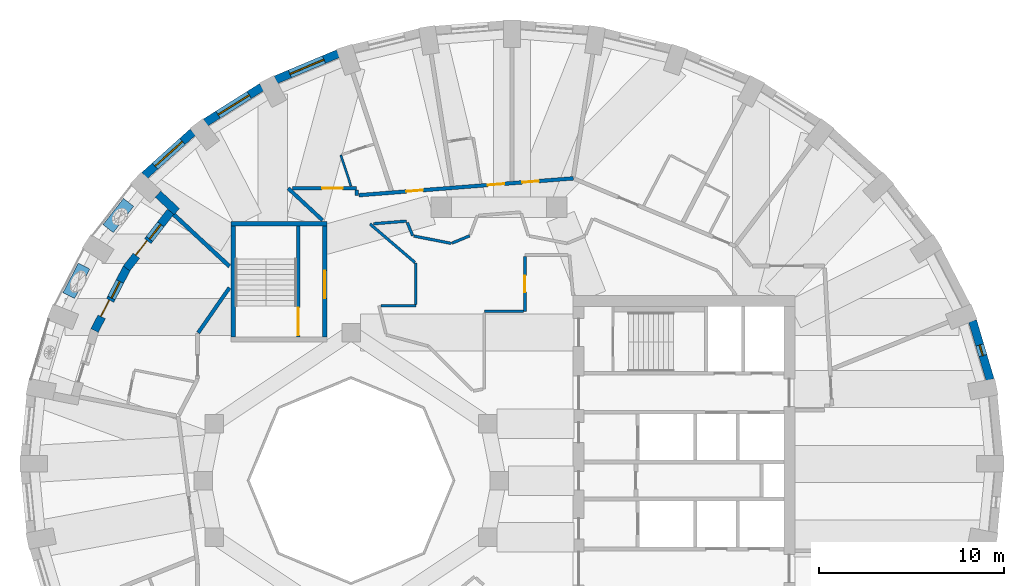
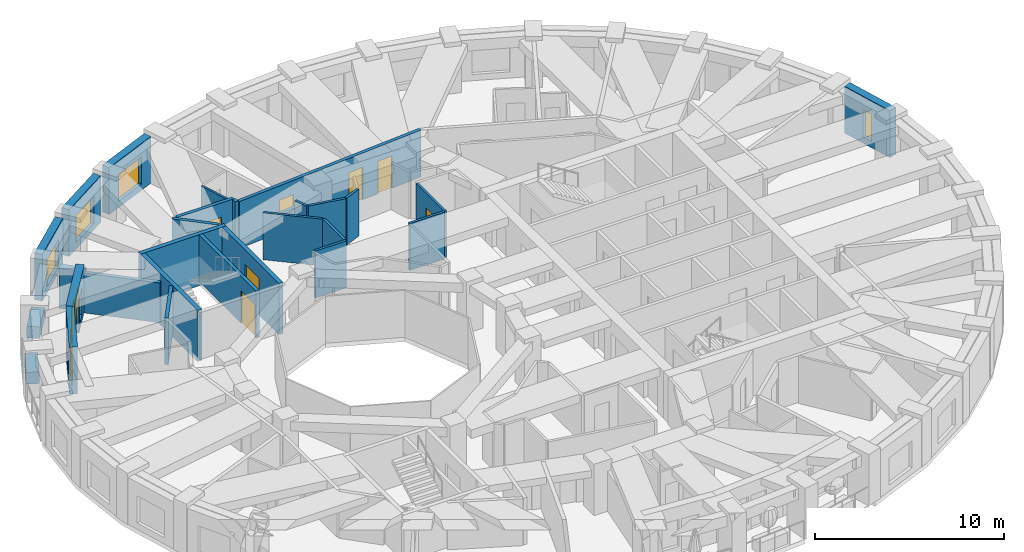
# One storey, part 7 of 12: 29 walls, 9 doors, 6 windows, 15 openings.
"""IFC4 building model written with IfcOpenShell, lengths in metres."""

from ifc_helpers import new_model, si_unit, direction, frame, frame_2d, origin, place, context, subcontext, project, spatial, rectangle, extrude, material, layer, layer_set, constituent, constituent_set, type_object, element, fill, save


model = new_model("IFC4")

# Units and contexts
model_context = context("Model", 3, precision=1e-05, world=origin(), true_north=direction((0.0, 1.0)))
body_context = subcontext(model_context, "Body", "Model", "MODEL_VIEW")
ifc_project = project(units=[si_unit("LENGTHUNIT", "METRE"), si_unit("AREAUNIT", "SQUARE_METRE"), si_unit("VOLUMEUNIT", "CUBIC_METRE"), si_unit("PLANEANGLEUNIT", "RADIAN"), si_unit("MASSUNIT", "GRAM", prefix="KILO")], contexts=[model_context])

# Site, building, storey
site_placement = place(None, origin())
site = spatial("IfcSite", under=ifc_project, at=site_placement, CompositionType="ELEMENT")
building_placement = place(site_placement, origin())
building = spatial("IfcBuilding", under=site, at=building_placement, Name="Taillehof Tower", CompositionType="ELEMENT")
storey_placement = place(building_placement, frame((0.0, 0.0, 199.10009765625)))
storey = spatial("IfcBuildingStorey", under=building, at=storey_placement, Name="L56", CompositionType="ELEMENT", Elevation=199.10009765625)

# Wall, opening, window
ifc_material_1 = material(Name="Brick masonry", Category="masonry")
ifc_layer_1 = layer(ifc_material_1, 0.449951171875)
ifc_layer_set_1 = layer_set([ifc_layer_1], Name="Brick infill wall 450")
wall_type_1 = type_object("IfcWallType", Name="Brick infill wall 450", PredefinedType="SOLIDWALL", material=ifc_layer_set_1)
wall_1_placement = place(storey_placement, frame((26.548095703125, 5.451904296875, 0.0), z_axis=(0.0, 0.0, 1.0), x_axis=(-0.285444972963, 0.958395099847, 0.0)))
wall_1 = element("IfcWall", 1, at=wall_1_placement, inside=storey, type_object=wall_type_1, Name="Brick wall L56 bay 2", PredefinedType="SOLIDWALL", context=body_context, shape_type="SweptSolid", body=[
    extrude(rectangle(XDim=3.3203125, YDim=0.449951171875, at=frame_2d((1.66015625, 0.0))), origin(), (0.0, 0.0, 1.0), 3.02001953125),
])
opening_1_placement = place(wall_1_placement, frame((1.360107421875, 0.0, 0.39990234375)))
opening_1 = element("IfcOpeningElement", 2, at=opening_1_placement, cuts=wall_1, Name="Opening W6", PredefinedType="OPENING", context=body_context, shape_type="SweptSolid", body=[
    extrude(rectangle(XDim=0.60009765625, YDim=1.75, at=frame_2d((0.300048828125, 0.875))), frame((0.0, 0.23486328125, 0.0), z_axis=(0.0, -1.0, 0.0), x_axis=(1.0, 0.0, 0.0)), (0.0, 0.0, 1.0), 0.469970703125),
])
ifc_material_2 = material(Name="Aluminium window frame with clear double glazing", Category="aluminium")
window_type_1 = type_object("IfcWindowType", Name="Slot window 600x1750", PartitioningType="SINGLE_PANEL", PredefinedType="WINDOW", material=ifc_material_2)
window_1_placement = place(opening_1_placement, origin())
window_1 = element("IfcWindow", 3, at=window_1_placement, inside=storey, type_object=window_type_1, Name="W6", OverallHeight=1.75, OverallWidth=0.60009765625, PartitioningType="SINGLE_PANEL", PredefinedType="WINDOW", context=body_context, shape_type="SweptSolid", body=[
    extrude(rectangle(XDim=0.60009765625, YDim=1.75, at=frame_2d((0.300048828125, 0.875))), frame((0.0, 0.034912109375, 0.0), z_axis=(0.0, -1.0, 0.0), x_axis=(1.0, 0.0, 0.0)), (0.0, 0.0, 1.0), 0.06005859375),
])
fill(opening_1, window_1)

wall_2_placement = place(storey_placement, frame((-8.70263671875, 23.0791015625, 0.0), z_axis=(0.0, 0.0, 1.0), x_axis=(-0.922168222612, -0.386789050006, 0.0)))
wall_2 = element("IfcWall", 4, at=wall_2_placement, inside=storey, type_object=wall_type_1, Name="Brick wall L56 bay 12", PredefinedType="SOLIDWALL", context=body_context, shape_type="SweptSolid", body=[
    extrude(rectangle(XDim=3.65087890625, YDim=0.449951171875, at=frame_2d((1.825439453125, 0.0))), origin(), (0.0, 0.0, 1.0), 3.02001953125),
])
opening_2_placement = place(wall_2_placement, frame((0.825439453125, 0.0, 0.39990234375)))
opening_2 = element("IfcOpeningElement", 5, at=opening_2_placement, cuts=wall_2, Name="Opening W2", PredefinedType="OPENING", context=body_context, shape_type="SweptSolid", body=[
    extrude(rectangle(XDim=2.0, YDim=1.75, at=frame_2d((1.0, 0.875))), frame((0.0, 0.23486328125, 0.0), z_axis=(0.0, -1.0, 0.0), x_axis=(1.0, 0.0, 0.0)), (0.0, 0.0, 1.0), 0.469970703125),
])
ifc_material_3 = material(Name="Aluminium window frame with clear double glazing", Category="aluminium")
window_type_2 = type_object("IfcWindowType", Name="Deep-set window 2000x1750", PartitioningType="SINGLE_PANEL", PredefinedType="WINDOW", material=ifc_material_3)
window_2_placement = place(opening_2_placement, origin())
window_2 = element("IfcWindow", 6, at=window_2_placement, inside=storey, type_object=window_type_2, Name="W2", OverallHeight=1.75, OverallWidth=2.0, PartitioningType="SINGLE_PANEL", PredefinedType="WINDOW", context=body_context, shape_type="SweptSolid", body=[
    extrude(rectangle(XDim=2.0, YDim=1.75, at=frame_2d((1.0, 0.875))), frame((0.0, 0.034912109375, 0.0), z_axis=(0.0, -1.0, 0.0), x_axis=(1.0, 0.0, 0.0)), (0.0, 0.0, 1.0), 0.06005859375),
])
fill(opening_2, window_2)

wall_3_placement = place(storey_placement, frame((-12.832275390625, 21.27001953125, 0.0), z_axis=(0.0, 0.0, 1.0), x_axis=(-0.846138482752, -0.532963101918, 0.0)))
wall_3 = element("IfcWall", 7, at=wall_3_placement, inside=storey, type_object=wall_type_1, Name="Brick wall L56 bay 13", PredefinedType="SOLIDWALL", context=body_context, shape_type="SweptSolid", body=[
    extrude(rectangle(XDim=3.586669921875, YDim=0.449951171875, at=frame_2d((1.79345703125, 0.0))), origin(), (0.0, 0.0, 1.0), 3.02001953125),
])
opening_3_placement = place(wall_3_placement, frame((0.79345703125, 0.0, 0.39990234375)))
opening_3 = element("IfcOpeningElement", 8, at=opening_3_placement, cuts=wall_3, Name="Opening W2", PredefinedType="OPENING", context=body_context, shape_type="SweptSolid", body=[
    extrude(rectangle(XDim=2.0, YDim=1.75, at=frame_2d((1.0, 0.875))), frame((0.0, 0.23486328125, 0.0), z_axis=(0.0, -1.0, 0.0), x_axis=(1.0, 0.0, 0.0)), (0.0, 0.0, 1.0), 0.469970703125),
])
window_3_placement = place(opening_3_placement, origin())
window_3 = element("IfcWindow", 9, at=window_3_placement, inside=storey, type_object=window_type_2, Name="W2", OverallHeight=1.75, OverallWidth=2.0, PartitioningType="SINGLE_PANEL", PredefinedType="WINDOW", context=body_context, shape_type="SweptSolid", body=[
    extrude(rectangle(XDim=2.0, YDim=1.75, at=frame_2d((1.0, 0.875))), frame((0.0, 0.034912109375, 0.0), z_axis=(0.0, -1.0, 0.0), x_axis=(1.0, 0.0, 0.0)), (0.0, 0.0, 1.0), 0.06005859375),
])
fill(opening_3, window_3)

wall_4_placement = place(storey_placement, frame((-16.553466796875, 18.83984375, 0.0), z_axis=(0.0, 0.0, 1.0), x_axis=(-0.743442727602, -0.668799604348, 0.0)))
wall_4 = element("IfcWall", 10, at=wall_4_placement, inside=storey, type_object=wall_type_1, Name="Brick wall L56 bay 14", PredefinedType="SOLIDWALL", context=body_context, shape_type="SweptSolid", body=[
    extrude(rectangle(XDim=3.5126953125, YDim=0.449951171875, at=frame_2d((1.75634765625, 0.0))), origin(), (0.0, 0.0, 1.0), 3.02001953125),
])
opening_4_placement = place(wall_4_placement, frame((0.75634765625, 0.0, 0.39990234375)))
opening_4 = element("IfcOpeningElement", 11, at=opening_4_placement, cuts=wall_4, Name="Opening W2", PredefinedType="OPENING", context=body_context, shape_type="SweptSolid", body=[
    extrude(rectangle(XDim=2.0, YDim=1.75, at=frame_2d((1.0, 0.875))), frame((0.0, 0.23486328125, 0.0), z_axis=(0.0, -1.0, 0.0), x_axis=(1.0, 0.0, 0.0)), (0.0, 0.0, 1.0), 0.469970703125),
])
window_4_placement = place(opening_4_placement, origin())
window_4 = element("IfcWindow", 12, at=window_4_placement, inside=storey, type_object=window_type_2, Name="W2", OverallHeight=1.75, OverallWidth=2.0, PartitioningType="SINGLE_PANEL", PredefinedType="WINDOW", context=body_context, shape_type="SweptSolid", body=[
    extrude(rectangle(XDim=2.0, YDim=1.75, at=frame_2d((1.0, 0.875))), frame((0.0, 0.034912109375, 0.0), z_axis=(0.0, -1.0, 0.0), x_axis=(1.0, 0.0, 0.0)), (0.0, 0.0, 1.0), 0.06005859375),
])
fill(opening_4, window_4)

# Wall
wall_5_placement = place(storey_placement, frame((-18.4404296875, 15.484375, 0.0), z_axis=(0.0, 0.0, 1.0), x_axis=(0.732268156969, -0.681016406769, 0.0)))
element("IfcWall", 13, at=wall_5_placement, inside=storey, type_object=wall_type_1, Name="Brick reveal L56 pocket 4", PredefinedType="SOLIDWALL", context=body_context, shape_type="SweptSolid", body=[
    extrude(rectangle(XDim=1.390869140625, YDim=0.449951171875, at=frame_2d((0.6953125, 0.0))), origin(), (0.0, 0.0, 1.0), 2.56982421875),
])

# Wall, openings, door, window
wall_6_placement = place(storey_placement, frame((-17.75390625, 14.53857421875, 0.0), z_axis=(0.0, 0.0, 1.0), x_axis=(-0.613174901215, -0.789947175779, 0.0)))
wall_6 = element("IfcWall", 14, at=wall_6_placement, inside=storey, type_object=wall_type_1, Name="Brick wall L56 pocket bay 15", PredefinedType="SOLIDWALL", context=body_context, shape_type="SweptSolid", body=[
    extrude(rectangle(XDim=3.886474609375, YDim=0.449951171875, at=frame_2d((1.943359375, 0.0))), origin(), (0.0, 0.0, 1.0), 3.02001953125),
])
opening_5_placement = place(wall_6_placement, frame((0.8681640625, 0.0, 0.39990234375)))
opening_5 = element("IfcOpeningElement", 15, at=opening_5_placement, cuts=wall_6, Name="Opening W5", PredefinedType="OPENING", context=body_context, shape_type="SweptSolid", body=[
    extrude(rectangle(XDim=1.0, YDim=1.75, at=frame_2d((0.5, 0.875))), frame((0.0, 0.23486328125, 0.0), z_axis=(0.0, -1.0, 0.0), x_axis=(1.0, 0.0, 0.0)), (0.0, 0.0, 1.0), 0.469970703125),
])
opening_6_placement = place(wall_6_placement, frame((2.018310546875, 0.0, 0.0)))
opening_6 = element("IfcOpeningElement", 16, at=opening_6_placement, cuts=wall_6, Name="Opening D5691", PredefinedType="OPENING", context=body_context, shape_type="SweptSolid", body=[
    extrude(rectangle(XDim=1.0, YDim=2.14990234375, at=frame_2d((0.5, 1.074951171875))), frame((0.0, 0.23486328125, 0.0), z_axis=(0.0, -1.0, 0.0), x_axis=(1.0, 0.0, 0.0)), (0.0, 0.0, 1.0), 0.469970703125),
])
ifc_material_4 = material(Name="Aluminium door frame with clear double glazing", Category="aluminium")
door_type_1 = type_object("IfcDoorType", Name="Balcony door 1000x2150", OperationType="SINGLE_SWING_RIGHT", PredefinedType="DOOR", material=ifc_material_4)
door_1_placement = place(opening_6_placement, frame((1.0, 0.0, 0.0), z_axis=(0.0, 0.0, 1.0), x_axis=(-1.0, 0.0, 0.0)))
door_1 = element("IfcDoor", 17, at=door_1_placement, inside=storey, type_object=door_type_1, Name="Balcony door L56 bay 15", OperationType="SINGLE_SWING_RIGHT", OverallHeight=2.14990234375, OverallWidth=1.0, PredefinedType="DOOR", context=body_context, shape_type="SweptSolid", body=[
    extrude(rectangle(XDim=1.0, YDim=2.14990234375, at=frame_2d((0.5, 1.074951171875))), frame((0.0, 0.0751953125, 0.0), z_axis=(0.0, -1.0, 0.0), x_axis=(1.0, 0.0, 0.0)), (0.0, 0.0, 1.0), 0.050048828125),
])
fill(opening_6, door_1)
ifc_material_5 = material(Name="Aluminium window frame with clear double glazing", Category="aluminium")
window_type_3 = type_object("IfcWindowType", Name="Fixed window 1000x1750", PartitioningType="SINGLE_PANEL", PredefinedType="WINDOW", material=ifc_material_5)
window_5_placement = place(opening_5_placement, origin())
window_5 = element("IfcWindow", 18, at=window_5_placement, inside=storey, type_object=window_type_3, Name="W5", OverallHeight=1.75, OverallWidth=1.0, PartitioningType="SINGLE_PANEL", PredefinedType="WINDOW", context=body_context, shape_type="SweptSolid", body=[
    extrude(rectangle(XDim=1.0, YDim=1.75, at=frame_2d((0.5, 0.875))), frame((0.0, 0.034912109375, 0.0), z_axis=(0.0, -1.0, 0.0), x_axis=(1.0, 0.0, 0.0)), (0.0, 0.0, 1.0), 0.06005859375),
])
fill(opening_5, window_5)

wall_7_placement = place(storey_placement, frame((-20.11474609375, 11.503173828125, 0.0), z_axis=(0.0, 0.0, 1.0), x_axis=(-0.459205720451, -0.888329953511, 0.0)))
wall_7 = element("IfcWall", 19, at=wall_7_placement, inside=storey, type_object=wall_type_1, Name="Brick wall L56 pocket bay 16", PredefinedType="SOLIDWALL", context=body_context, shape_type="SweptSolid", body=[
    extrude(rectangle(XDim=3.822509765625, YDim=0.449951171875, at=frame_2d((1.9111328125, 0.0))), origin(), (0.0, 0.0, 1.0), 3.02001953125),
])
opening_7_placement = place(wall_7_placement, frame((0.83642578125, 0.0, 0.39990234375)))
opening_7 = element("IfcOpeningElement", 20, at=opening_7_placement, cuts=wall_7, Name="Opening W5", PredefinedType="OPENING", context=body_context, shape_type="SweptSolid", body=[
    extrude(rectangle(XDim=1.0, YDim=1.75, at=frame_2d((0.5, 0.875))), frame((0.0, 0.23486328125, 0.0), z_axis=(0.0, -1.0, 0.0), x_axis=(1.0, 0.0, 0.0)), (0.0, 0.0, 1.0), 0.469970703125),
])
opening_8_placement = place(wall_7_placement, frame((1.986328125, 0.0, 0.0)))
opening_8 = element("IfcOpeningElement", 21, at=opening_8_placement, cuts=wall_7, Name="Opening D5692", PredefinedType="OPENING", context=body_context, shape_type="SweptSolid", body=[
    extrude(rectangle(XDim=1.0, YDim=2.14990234375, at=frame_2d((0.5, 1.074951171875))), frame((0.0, 0.23486328125, 0.0), z_axis=(0.0, -1.0, 0.0), x_axis=(1.0, 0.0, 0.0)), (0.0, 0.0, 1.0), 0.469970703125),
])
door_2_placement = place(opening_8_placement, frame((1.0, 0.0, 0.0), z_axis=(0.0, 0.0, 1.0), x_axis=(-1.0, 0.0, 0.0)))
door_2 = element("IfcDoor", 22, at=door_2_placement, inside=storey, type_object=door_type_1, Name="Balcony door L56 bay 16", OperationType="SINGLE_SWING_LEFT", OverallHeight=2.14990234375, OverallWidth=1.0, PredefinedType="DOOR", context=body_context, shape_type="SweptSolid", body=[
    extrude(rectangle(XDim=1.0, YDim=2.14990234375, at=frame_2d((0.5, 1.074951171875))), frame((0.0, 0.0751953125, 0.0), z_axis=(0.0, -1.0, 0.0), x_axis=(1.0, 0.0, 0.0)), (0.0, 0.0, 1.0), 0.050048828125),
])
fill(opening_8, door_2)
window_6_placement = place(opening_7_placement, origin())
window_6 = element("IfcWindow", 23, at=window_6_placement, inside=storey, type_object=window_type_3, Name="W5", OverallHeight=1.75, OverallWidth=1.0, PartitioningType="SINGLE_PANEL", PredefinedType="WINDOW", context=body_context, shape_type="SweptSolid", body=[
    extrude(rectangle(XDim=1.0, YDim=1.75, at=frame_2d((0.5, 0.875))), frame((0.0, 0.034912109375, 0.0), z_axis=(0.0, -1.0, 0.0), x_axis=(1.0, 0.0, 0.0)), (0.0, 0.0, 1.0), 0.06005859375),
])
fill(opening_7, window_6)

# Walls
ifc_material_6 = material(Name="Gypsum board on steel studs, two layers each side", Category="steel")
ifc_layer_2 = layer(ifc_material_6, 0.199951171875)
ifc_layer_set_2 = layer_set([ifc_layer_2], Name="Compartment wall corridor 200")
wall_type_2 = type_object("IfcWallType", Name="Compartment wall corridor 200", PredefinedType="PARTITIONING", material=ifc_layer_set_2)
wall_8_placement = place(storey_placement, frame((-16.265625, 7.9892578125, 0.0), z_axis=(0.0, 0.0, 1.0), x_axis=(0.569860411146, 0.821741511552, 0.0)))
element("IfcWall", 24, at=wall_8_placement, inside=storey, type_object=wall_type_2, Name="Compartment wall", PredefinedType="PARTITIONING", context=body_context, shape_type="SweptSolid", body=[
    extrude(rectangle(XDim=2.966064453125, YDim=0.199951171875, at=frame_2d((1.48291015625, 0.0))), origin(), (0.0, 0.0, 1.0), 3.02001953125),
])
wall_9_placement = place(storey_placement, frame((-9.540771484375, 14.070068359375, 0.0), z_axis=(0.0, 0.0, 1.0), x_axis=(-0.732300412469, 0.680981722146, 0.0)))
element("IfcWall", 25, at=wall_9_placement, inside=storey, type_object=wall_type_2, Name="Compartment wall", PredefinedType="PARTITIONING", context=body_context, shape_type="SweptSolid", body=[
    extrude(rectangle(XDim=2.54052734375, YDim=0.199951171875, at=frame_2d((1.270263671875, 0.0))), origin(), (0.0, 0.0, 1.0), 3.02001953125),
])

# Wall, opening, door
wall_10_placement = place(storey_placement, frame((-11.160888671875, 15.800048828125, 0.0), z_axis=(0.0, 0.0, 1.0), x_axis=(1.0, 0.0, 0.0)))
wall_10 = element("IfcWall", 26, at=wall_10_placement, inside=storey, type_object=wall_type_2, Name="Compartment wall", PredefinedType="PARTITIONING", context=body_context, shape_type="SweptSolid", body=[
    extrude(rectangle(XDim=3.4609375, YDim=0.199951171875, at=frame_2d((1.73046875, 0.0))), origin(), (0.0, 0.0, 1.0), 3.02001953125),
])
opening_9_placement = place(wall_10_placement, frame((1.601806640625, 0.0, 0.0)))
opening_9 = element("IfcOpeningElement", 27, at=opening_9_placement, cuts=wall_10, Name="Opening D5648", PredefinedType="OPENING", context=body_context, shape_type="SweptSolid", body=[
    extrude(rectangle(XDim=1.10009765625, YDim=2.10009765625, at=frame_2d((0.550048828125, 1.050048828125))), frame((0.0, 0.10986328125, 0.0), z_axis=(0.0, -1.0, 0.0), x_axis=(1.0, 0.0, 0.0)), (0.0, 0.0, 1.0), 0.219970703125),
])
ifc_material_7 = material(Name="Timber door leaf in steel frame", Category="steel")
door_type_2 = type_object("IfcDoorType", Name="Suite entrance door EI 30 1100 x 2100", OperationType="SINGLE_SWING_LEFT", PredefinedType="DOOR", material=ifc_material_7)
door_3_placement = place(opening_9_placement, origin())
door_3 = element("IfcDoor", 28, at=door_3_placement, inside=storey, type_object=door_type_2, Name="D5648", OperationType="SINGLE_SWING_RIGHT", OverallHeight=2.10009765625, OverallWidth=1.10009765625, PredefinedType="DOOR", context=body_context, shape_type="SweptSolid", body=[
    extrude(rectangle(XDim=1.10009765625, YDim=2.10009765625, at=frame_2d((0.550048828125, 1.050048828125))), frame((0.0, 0.02490234375, 0.0), z_axis=(0.0, -1.0, 0.0), x_axis=(1.0, 0.0, 0.0)), (0.0, 0.0, 1.0), 0.050048828125),
])
fill(opening_9, door_3)

# Wall
wall_11_placement = place(storey_placement, frame((-7.699951171875, 15.699951171875, 0.0), z_axis=(0.0, 0.0, 1.0), x_axis=(0.0, -1.0, 0.0)))
element("IfcWall", 29, at=wall_11_placement, inside=storey, type_object=wall_type_2, Name="Compartment wall", PredefinedType="PARTITIONING", context=body_context, shape_type="SweptSolid", body=[
    extrude(rectangle(XDim=0.281494140625, YDim=0.199951171875, at=frame_2d((0.140625, 0.0))), origin(), (0.0, 0.0, 1.0), 3.02001953125),
])

# Wall, openings, doors
wall_12_placement = place(storey_placement, frame((-7.579833984375, 15.42724609375, 0.0), z_axis=(0.0, 0.0, 1.0), x_axis=(0.996926687833, 0.078340149899, 0.0)))
wall_12 = element("IfcWall", 30, at=wall_12_placement, inside=storey, type_object=wall_type_2, Name="Compartment wall", PredefinedType="PARTITIONING", context=body_context, shape_type="SweptSolid", body=[
    extrude(rectangle(XDim=11.63037109375, YDim=0.199951171875, at=frame_2d((5.815185546875, 0.0))), origin(), (0.0, 0.0, 1.0), 3.02001953125),
])
opening_10_placement = place(wall_12_placement, frame((8.86572265625, 0.0, 0.0)))
opening_10 = element("IfcOpeningElement", 31, at=opening_10_placement, cuts=wall_12, Name="Opening D5644", PredefinedType="OPENING", context=body_context, shape_type="SweptSolid", body=[
    extrude(rectangle(XDim=0.89990234375, YDim=2.10009765625, at=frame_2d((0.449951171875, 1.050048828125))), frame((0.0, 0.10986328125, 0.0), z_axis=(0.0, -1.0, 0.0), x_axis=(1.0, 0.0, 0.0)), (0.0, 0.0, 1.0), 0.219970703125),
])
opening_11_placement = place(wall_12_placement, frame((6.992431640625, 0.0, 0.0)))
opening_11 = element("IfcOpeningElement", 32, at=opening_11_placement, cuts=wall_12, Name="Opening D5645", PredefinedType="OPENING", context=body_context, shape_type="SweptSolid", body=[
    extrude(rectangle(XDim=0.89990234375, YDim=2.10009765625, at=frame_2d((0.449951171875, 1.050048828125))), frame((0.0, 0.10986328125, 0.0), z_axis=(0.0, -1.0, 0.0), x_axis=(1.0, 0.0, 0.0)), (0.0, 0.0, 1.0), 0.219970703125),
])
opening_12_placement = place(wall_12_placement, frame((2.565673828125, 0.0, 0.0)))
opening_12 = element("IfcOpeningElement", 33, at=opening_12_placement, cuts=wall_12, Name="Opening D5647", PredefinedType="OPENING", context=body_context, shape_type="SweptSolid", body=[
    extrude(rectangle(XDim=0.89990234375, YDim=2.10009765625, at=frame_2d((0.449951171875, 1.050048828125))), frame((0.0, 0.10986328125, 0.0), z_axis=(0.0, -1.0, 0.0), x_axis=(1.0, 0.0, 0.0)), (0.0, 0.0, 1.0), 0.219970703125),
])
ifc_material_8 = material(Name="Timber door leaf in steel frame", Category="steel")
door_type_3 = type_object("IfcDoorType", Name="Guest room door EI 30 900 x 2100", OperationType="SINGLE_SWING_LEFT", PredefinedType="DOOR", material=ifc_material_8)
door_4_placement = place(opening_11_placement, origin())
door_4 = element("IfcDoor", 34, at=door_4_placement, inside=storey, type_object=door_type_3, Name="D5645", OperationType="SINGLE_SWING_RIGHT", OverallHeight=2.10009765625, OverallWidth=0.89990234375, PredefinedType="DOOR", context=body_context, shape_type="SweptSolid", body=[
    extrude(rectangle(XDim=0.89990234375, YDim=2.10009765625, at=frame_2d((0.449951171875, 1.050048828125))), frame((0.0, 0.02490234375, 0.0), z_axis=(0.0, -1.0, 0.0), x_axis=(1.0, 0.0, 0.0)), (0.0, 0.0, 1.0), 0.050048828125),
])
fill(opening_11, door_4)
ifc_material_9 = material(Name="Timber door leaf in steel frame", Category="steel")
door_type_4 = type_object("IfcDoorType", Name="Service room door EI 30 900 x 2100", OperationType="SINGLE_SWING_LEFT", PredefinedType="DOOR", material=ifc_material_9)
door_5_placement = place(opening_10_placement, origin())
door_5 = element("IfcDoor", 35, at=door_5_placement, inside=storey, type_object=door_type_4, Name="D5644", OperationType="SINGLE_SWING_LEFT", OverallHeight=2.10009765625, OverallWidth=0.89990234375, PredefinedType="DOOR", context=body_context, shape_type="SweptSolid", body=[
    extrude(rectangle(XDim=0.89990234375, YDim=2.10009765625, at=frame_2d((0.449951171875, 1.050048828125))), frame((0.0, 0.02490234375, 0.0), z_axis=(0.0, -1.0, 0.0), x_axis=(1.0, 0.0, 0.0)), (0.0, 0.0, 1.0), 0.050048828125),
])
fill(opening_10, door_5)
door_6_placement = place(opening_12_placement, origin())
door_6 = element("IfcDoor", 36, at=door_6_placement, inside=storey, type_object=door_type_4, Name="D5647", OperationType="SINGLE_SWING_LEFT", OverallHeight=2.10009765625, OverallWidth=0.89990234375, PredefinedType="DOOR", context=body_context, shape_type="SweptSolid", body=[
    extrude(rectangle(XDim=0.89990234375, YDim=2.10009765625, at=frame_2d((0.449951171875, 1.050048828125))), frame((0.0, 0.02490234375, 0.0), z_axis=(0.0, -1.0, 0.0), x_axis=(1.0, 0.0, 0.0)), (0.0, 0.0, 1.0), 0.050048828125),
])
fill(opening_12, door_6)

# Wall
ifc_material_10 = material(Name="Gypsum board on double steel studs with mineral wool", Category="steel")
ifc_layer_3 = layer(ifc_material_10, 0.219970703125)
ifc_layer_set_3 = layer_set([ifc_layer_3], Name="Compartment wall guest room 220")
wall_type_3 = type_object("IfcWallType", Name="Compartment wall guest room 220", PredefinedType="PARTITIONING", material=ifc_layer_set_3)
wall_13_placement = place(storey_placement, frame((-17.58837890625, 14.384765625, 0.0), z_axis=(0.0, 0.0, 1.0), x_axis=(0.732259547802, -0.681025663725, 0.0)))
element("IfcWall", 37, at=wall_13_placement, inside=storey, type_object=wall_type_3, Name="Compartment wall", PredefinedType="PARTITIONING", context=body_context, shape_type="SweptSolid", body=[
    extrude(rectangle(XDim=4.121826171875, YDim=0.219970703125, at=frame_2d((2.06103515625, 0.0))), origin(), (0.0, 0.0, 1.0), 2.56982421875),
])

# Wall, opening, door
ifc_material_11 = material(Name="Gypsum board on steel studs, two layers each side", Category="steel")
ifc_layer_4 = layer(ifc_material_11, 0.14990234375)
ifc_layer_set_4 = layer_set([ifc_layer_4], Name="Compartment wall service room 150")
wall_type_4 = type_object("IfcWallType", Name="Compartment wall service room 150", PredefinedType="PARTITIONING", material=ifc_layer_set_4)
wall_14_placement = place(storey_placement, frame((1.39990234375, 12.119873046875, 0.0), z_axis=(0.0, 0.0, 1.0), x_axis=(0.0, -1.0, 0.0)))
wall_14 = element("IfcWall", 38, at=wall_14_placement, inside=storey, type_object=wall_type_4, Name="Compartment wall", PredefinedType="PARTITIONING", context=body_context, shape_type="SweptSolid", body=[
    extrude(rectangle(XDim=2.969970703125, YDim=0.14990234375, at=frame_2d((1.48486328125, 0.0))), origin(), (0.0, 0.0, 1.0), 3.02001953125),
])
opening_13_placement = place(wall_14_placement, frame((1.034912109375, 0.0, 0.0)))
opening_13 = element("IfcOpeningElement", 39, at=opening_13_placement, cuts=wall_14, Name="Opening D5666", PredefinedType="OPENING", context=body_context, shape_type="SweptSolid", body=[
    extrude(rectangle(XDim=0.89990234375, YDim=2.10009765625, at=frame_2d((0.449951171875, 1.050048828125))), frame((0.0, 0.0849609375, 0.0), z_axis=(0.0, -1.0, 0.0), x_axis=(1.0, 0.0, 0.0)), (0.0, 0.0, 1.0), 0.169921875),
])
door_7_placement = place(opening_13_placement, origin())
door_7 = element("IfcDoor", 40, at=door_7_placement, inside=storey, type_object=door_type_4, Name="D5666", OperationType="SINGLE_SWING_LEFT", OverallHeight=2.10009765625, OverallWidth=0.89990234375, PredefinedType="DOOR", context=body_context, shape_type="SweptSolid", body=[
    extrude(rectangle(XDim=0.89990234375, YDim=2.10009765625, at=frame_2d((0.449951171875, 1.050048828125))), frame((0.0, 0.02490234375, 0.0), z_axis=(0.0, -1.0, 0.0), x_axis=(1.0, 0.0, 0.0)), (0.0, 0.0, 1.0), 0.050048828125),
])
fill(opening_13, door_7)

# Walls
wall_15_placement = place(storey_placement, frame((1.31982421875, 9.14990234375, 0.0), z_axis=(0.0, 0.0, 1.0), x_axis=(-1.0, 0.0, 0.0)))
element("IfcWall", 41, at=wall_15_placement, inside=storey, type_object=wall_type_4, Name="Compartment wall", PredefinedType="PARTITIONING", context=body_context, shape_type="SweptSolid", body=[
    extrude(rectangle(XDim=2.119873046875, YDim=0.14990234375, at=frame_2d((1.06005859375, 0.0))), origin(), (0.0, 0.0, 1.0), 3.02001953125),
])
wall_16_placement = place(storey_placement, frame((-6.393310546875, 9.449951171875, 0.0), z_axis=(0.0, 0.0, 1.0), x_axis=(1.0, 0.0, 0.0)))
element("IfcWall", 42, at=wall_16_placement, inside=storey, type_object=wall_type_4, Name="Compartment wall", PredefinedType="PARTITIONING", context=body_context, shape_type="SweptSolid", body=[
    extrude(rectangle(XDim=1.893310546875, YDim=0.14990234375, at=frame_2d((0.94677734375, 0.0))), origin(), (0.0, 0.0, 1.0), 3.02001953125),
])
wall_17_placement = place(storey_placement, frame((-4.5, 9.530029296875, 0.0), z_axis=(0.0, 0.0, 1.0), x_axis=(0.0, 1.0, 0.0)))
element("IfcWall", 43, at=wall_17_placement, inside=storey, type_object=wall_type_4, Name="Compartment wall", PredefinedType="PARTITIONING", context=body_context, shape_type="SweptSolid", body=[
    extrude(rectangle(XDim=2.219970703125, YDim=0.14990234375, at=frame_2d((1.10986328125, 0.0))), origin(), (0.0, 0.0, 1.0), 3.02001953125),
])
wall_18_placement = place(storey_placement, frame((-4.54541015625, 11.788818359375, 0.0), z_axis=(0.0, 0.0, 1.0), x_axis=(-0.759649557803, 0.650332645136, 0.0)))
element("IfcWall", 44, at=wall_18_placement, inside=storey, type_object=wall_type_4, Name="Compartment wall", PredefinedType="PARTITIONING", context=body_context, shape_type="SweptSolid", body=[
    extrude(rectangle(XDim=3.200439453125, YDim=0.14990234375, at=frame_2d((1.60009765625, 0.0))), origin(), (0.0, 0.0, 1.0), 3.02001953125),
])
wall_19_placement = place(storey_placement, frame((-6.79638671875, 13.88330078125, 0.0), z_axis=(0.0, 0.0, 1.0), x_axis=(0.996884469519, 0.078875562959, 0.0)))
element("IfcWall", 45, at=wall_19_placement, inside=storey, type_object=wall_type_4, Name="Compartment wall", PredefinedType="PARTITIONING", context=body_context, shape_type="SweptSolid", body=[
    extrude(rectangle(XDim=1.8076171875, YDim=0.14990234375, at=frame_2d((0.90380859375, 0.0))), origin(), (0.0, 0.0, 1.0), 2.56982421875),
])
wall_20_placement = place(storey_placement, frame((-4.964111328125, 13.95166015625, 0.0), z_axis=(0.0, 0.0, 1.0), x_axis=(0.383034593284, -0.923733998697, 0.0)))
element("IfcWall", 46, at=wall_20_placement, inside=storey, type_object=wall_type_4, Name="Compartment wall", PredefinedType="PARTITIONING", context=body_context, shape_type="SweptSolid", body=[
    extrude(rectangle(XDim=0.77880859375, YDim=0.14990234375, at=frame_2d((0.389404296875, 0.0))), origin(), (0.0, 0.0, 1.0), 3.02001953125),
])
wall_21_placement = place(storey_placement, frame((-4.607177734375, 13.220458984375, 0.0), z_axis=(0.0, 0.0, 1.0), x_axis=(0.981304142817, -0.192463449234, 0.0)))
element("IfcWall", 47, at=wall_21_placement, inside=storey, type_object=wall_type_4, Name="Compartment wall", PredefinedType="PARTITIONING", context=body_context, shape_type="SweptSolid", body=[
    extrude(rectangle(XDim=2.0703125, YDim=0.14990234375, at=frame_2d((1.03515625, 0.0))), origin(), (0.0, 0.0, 1.0), 3.02001953125),
])
wall_22_placement = place(storey_placement, frame((-2.53857421875, 12.837158203125, 0.0), z_axis=(0.0, 0.0, 1.0), x_axis=(0.923768662954, 0.382950985565, 0.0)))
element("IfcWall", 48, at=wall_22_placement, inside=storey, type_object=wall_type_4, Name="Compartment wall", PredefinedType="PARTITIONING", context=body_context, shape_type="SweptSolid", body=[
    extrude(rectangle(XDim=1.031494140625, YDim=0.14990234375, at=frame_2d((0.515625, 0.0))), origin(), (0.0, 0.0, 1.0), 3.02001953125),
])
ifc_material_12 = material(Name="Gypsum board on steel studs, moisture resistant", Category="steel")
ifc_layer_5 = layer(ifc_material_12, 0.1201171875)
ifc_layer_set_5 = layer_set([ifc_layer_5], Name="En-suite wall 120")
wall_type_5 = type_object("IfcWallType", Name="En-suite wall 120", PredefinedType="PARTITIONING", material=ifc_layer_set_5)
wall_23_placement = place(storey_placement, frame((-8.00390625, 15.919189453125, 0.0), z_axis=(0.0, 0.0, 1.0), x_axis=(-0.311931513965, 0.950104589293, 0.0)))
element("IfcWall", 49, at=wall_23_placement, inside=storey, type_object=wall_type_5, Name="En-suite wall", PredefinedType="PARTITIONING", context=body_context, shape_type="SweptSolid", body=[
    extrude(rectangle(XDim=1.7744140625, YDim=0.1201171875, at=frame_2d((0.88720703125, 0.0))), origin(), (0.0, 0.0, 1.0), 3.02001953125),
])
ifc_material_13 = material(Name="Concrete C30/37 precast", Category="concrete")
ifc_constituent_1 = constituent(ifc_material_13, Name="Structure", Category="concrete")
ifc_material_14 = material(Name="Insulated lining")
ifc_constituent_2 = constituent(ifc_material_14, Name="Lining")
ifc_constituent_set = constituent_set(constituents=[ifc_constituent_1, ifc_constituent_2], Name="Planter trough 700x750")
wall_type_6 = type_object("IfcWallType", Name="Planter trough 700x750", PredefinedType="USERDEFINED", material=ifc_constituent_set)
for number, where, z_axis, x_axis, name in (
    (50, (-20.029541015625, 15.03955078125, 0.0), (0.0, 0.0, 1.0), (-0.614269202726, -0.789096538189, 0.0), "Planter L56 bay 15"),
    (51, (-22.435546875, 11.595458984375, 0.0), (0.0, 0.0, 1.0), (-0.460186516514, -0.887822262629, 0.0), "Planter L56 bay 16"),
):
    element("IfcWall", number, at=place(storey_placement, frame(where, z_axis=z_axis, x_axis=x_axis)), inside=storey, type_object=wall_type_6, Name=name, ObjectType="PLANTER", PredefinedType="USERDEFINED", context=body_context, shape_type="SweptSolid", body=[
        extrude(rectangle(XDim=1.800048828125, YDim=0.699951171875, at=frame_2d((0.89990234375, 0.0))), origin(), (0.0, 0.0, 1.0), 0.75),
    ])

# Wall, opening, door
ifc_material_15 = material(Name="Concrete C50/60", Category="concrete")
ifc_layer_6 = layer(ifc_material_15, 0.199951171875)
ifc_layer_set_6 = layer_set([ifc_layer_6], Name="Shaft wall C50/60 200")
wall_type_7 = type_object("IfcWallType", Name="Shaft wall C50/60 200", PredefinedType="SHEAR", material=ifc_layer_set_6)
wall_24_placement = place(storey_placement, frame((-10.85009765625, 7.75, 0.0), z_axis=(0.0, 0.0, 1.0), x_axis=(0.0, 1.0, 0.0)))
wall_24 = element("IfcWall", 52, at=wall_24_placement, inside=storey, type_object=wall_type_7, Name="Shaft wall SW", PredefinedType="SHEAR", context=body_context, shape_type="SweptSolid", body=[
    extrude(rectangle(XDim=6.0, YDim=0.199951171875, at=frame_2d((3.0, 0.0))), origin(), (0.0, 0.0, 1.0), 3.02001953125),
])
opening_14_placement = place(wall_24_placement, frame((0.10009765625, 0.0, 0.0)))
opening_14 = element("IfcOpeningElement", 53, at=opening_14_placement, cuts=wall_24, Name="Opening D5612", PredefinedType="OPENING", context=body_context, shape_type="SweptSolid", body=[
    extrude(rectangle(XDim=1.5, YDim=2.10009765625, at=frame_2d((0.75, 1.050048828125))), frame((0.0, 0.10986328125, 0.0), z_axis=(0.0, -1.0, 0.0), x_axis=(1.0, 0.0, 0.0)), (0.0, 0.0, 1.0), 0.219970703125),
])
ifc_material_16 = material(Name="Steel-faced fire door", Category="steel")
door_type_5 = type_object("IfcDoorType", Name="Stair door 1500x2100", OperationType="DOUBLE_DOOR_SINGLE_SWING", PredefinedType="DOOR", material=ifc_material_16)
door_8_placement = place(opening_14_placement, origin())
door_8 = element("IfcDoor", 54, at=door_8_placement, inside=storey, type_object=door_type_5, Name="Stair lobby door S3", OperationType="DOUBLE_DOOR_SINGLE_SWING", OverallHeight=2.10009765625, OverallWidth=1.5, PredefinedType="DOOR", context=body_context, shape_type="SweptSolid", body=[
    extrude(rectangle(XDim=1.5, YDim=2.10009765625, at=frame_2d((0.75, 1.050048828125))), frame((0.0, 0.02490234375, 0.0), z_axis=(0.0, -1.0, 0.0), x_axis=(1.0, 0.0, 0.0)), (0.0, 0.0, 1.0), 0.050048828125),
])
fill(opening_14, door_8)

# Wall
ifc_material_17 = material(Name="Concrete C50/60", Category="concrete")
ifc_layer_7 = layer(ifc_material_17, 0.25)
ifc_layer_set_7 = layer_set([ifc_layer_7], Name="Stair wall C50/60 250")
wall_type_8 = type_object("IfcWallType", Name="Stair wall C50/60 250", PredefinedType="SHEAR", material=ifc_layer_set_7)
wall_25_placement = place(storey_placement, frame((-14.375, 7.75, -0.280029296875), z_axis=(0.0, 0.0, 1.0), x_axis=(0.0, 1.0, 0.0)))
element("IfcWall", 55, at=wall_25_placement, inside=storey, type_object=wall_type_8, Name="Stair wall SC", PredefinedType="SHEAR", context=body_context, shape_type="SweptSolid", body=[
    extrude(rectangle(XDim=6.0, YDim=0.25, at=frame_2d((3.0, 0.0))), origin(), (0.0, 0.0, 1.0), 3.300048828125),
])

# Wall, opening, door
wall_26_placement = place(storey_placement, frame((-9.425048828125, 7.75, -0.280029296875), z_axis=(0.0, 0.0, 1.0), x_axis=(0.0, 1.0, 0.0)))
wall_26 = element("IfcWall", 56, at=wall_26_placement, inside=storey, type_object=wall_type_8, Name="Stair wall SC", PredefinedType="SHEAR", context=body_context, shape_type="SweptSolid", body=[
    extrude(rectangle(XDim=6.0, YDim=0.25, at=frame_2d((3.0, 0.0))), origin(), (0.0, 0.0, 1.0), 3.300048828125),
])
opening_15_placement = place(wall_26_placement, frame((2.10009765625, 0.0, 0.280029296875)))
opening_15 = element("IfcOpeningElement", 57, at=opening_15_placement, cuts=wall_26, Name="Opening D5615", PredefinedType="OPENING", context=body_context, shape_type="SweptSolid", body=[
    extrude(rectangle(XDim=1.5, YDim=2.10009765625, at=frame_2d((0.75, 1.050048828125))), frame((0.0, 0.135009765625, 0.0), z_axis=(0.0, -1.0, 0.0), x_axis=(1.0, 0.0, 0.0)), (0.0, 0.0, 1.0), 0.27001953125),
])
door_9_placement = place(opening_15_placement, origin())
door_9 = element("IfcDoor", 58, at=door_9_placement, inside=storey, type_object=door_type_5, Name="Stair door S3", OperationType="DOUBLE_DOOR_SINGLE_SWING", OverallHeight=2.10009765625, OverallWidth=1.5, PredefinedType="DOOR", context=body_context, shape_type="SweptSolid", body=[
    extrude(rectangle(XDim=1.5, YDim=2.10009765625, at=frame_2d((0.75, 1.050048828125))), frame((0.0, 0.02490234375, 0.0), z_axis=(0.0, -1.0, 0.0), x_axis=(1.0, 0.0, 0.0)), (0.0, 0.0, 1.0), 0.050048828125),
])
fill(opening_15, door_9)

# Wall
wall_27_placement = place(storey_placement, frame((-14.5, 13.875, -0.280029296875), z_axis=(0.0, 0.0, 1.0), x_axis=(1.0, 0.0, 0.0)))
element("IfcWall", 59, at=wall_27_placement, inside=storey, type_object=wall_type_8, Name="Stair wall SC", PredefinedType="SHEAR", context=body_context, shape_type="SweptSolid", body=[
    extrude(rectangle(XDim=5.199951171875, YDim=0.25, at=frame_2d((2.60009765625, 0.0))), origin(), (0.0, 0.0, 1.0), 3.300048828125),
])

save(model, "model.ifc")
